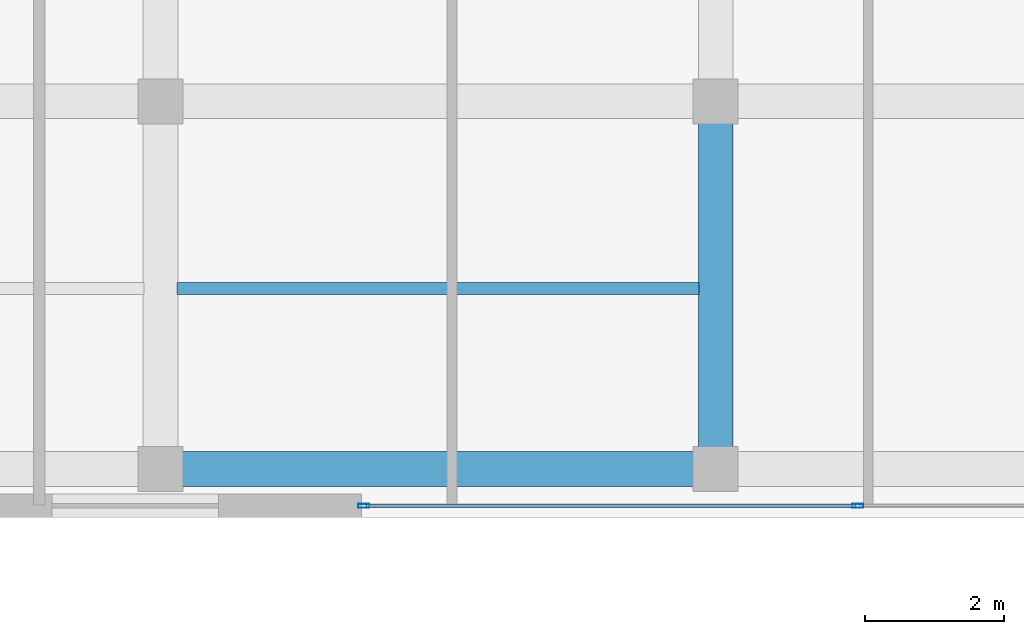
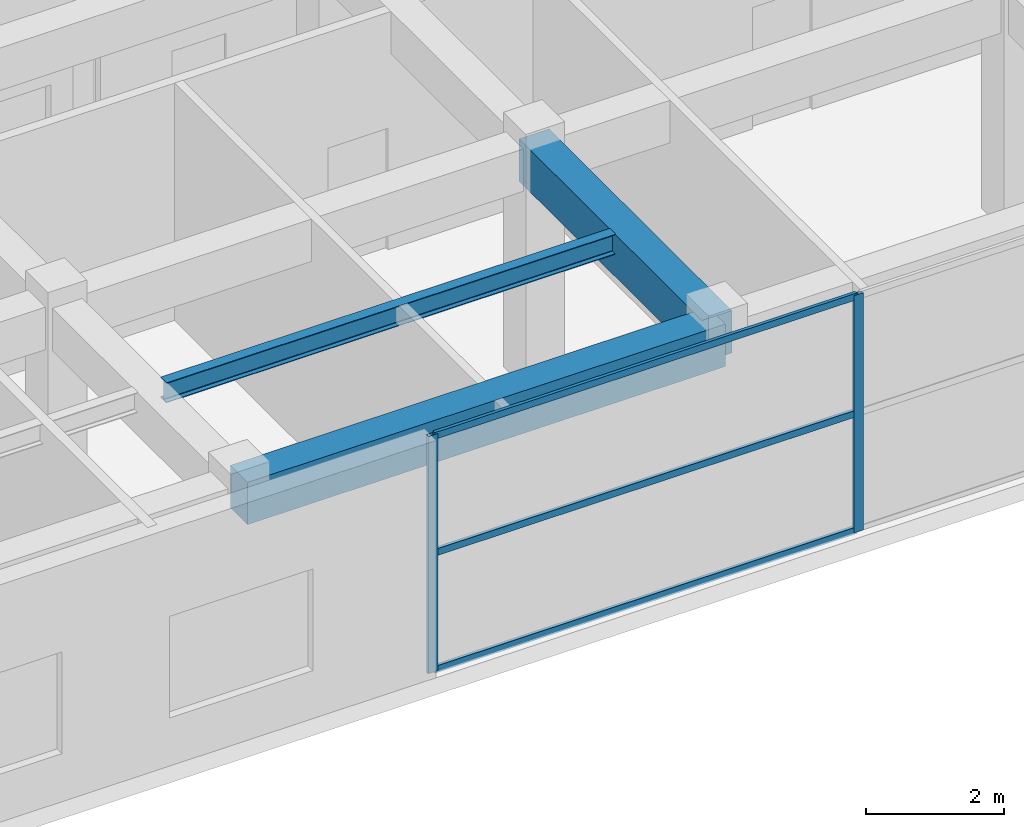
# One storey, part 10 of 26: 5 members, 3 beams, 1 element without a shape of its own.
"""IFC4 building model written with IfcOpenShell, lengths in metres."""

from ifc_helpers import new_model, si_unit, direction, frame, origin, origin_2d, place, context, subcontext, project, spatial, rectangle, hollow_rectangle, i_section, extrude, source, transform, mapped, material, layer, layer_set, material_profile, profile_set, type_object, element, aggregate, save


model = new_model("IFC4")

# Units and contexts
model_context = context("Model", 3, precision=1e-05, world=origin(), true_north=direction((0.0, 1.0)))
body_context = subcontext(model_context, "Body", "Model", "MODEL_VIEW")
ifc_project = project(units=[si_unit("LENGTHUNIT", "METRE"), si_unit("AREAUNIT", "SQUARE_METRE"), si_unit("VOLUMEUNIT", "CUBIC_METRE"), si_unit("PLANEANGLEUNIT", "RADIAN"), si_unit("MASSUNIT", "GRAM", prefix="KILO")], contexts=[model_context])

# Site, building, storey
site_placement = place(None, origin())
site = spatial("IfcSite", under=ifc_project, at=site_placement, CompositionType="ELEMENT")
building_placement = place(site_placement, origin())
building = spatial("IfcBuilding", under=site, at=building_placement, Name="Khoralis Quay Care Tower", CompositionType="ELEMENT")
storey_placement = place(building_placement, frame((0.0, 0.0, 4.5)))
storey = spatial("IfcBuildingStorey", under=building, at=storey_placement, Name="L01", CompositionType="ELEMENT", Elevation=4.5)

# Beams
ifc_material_1 = material(Name="Concrete C40/50", Category="concrete")
ifc_material_profile_1 = material_profile(ifc_material_1, rectangle(XDim=0.5, YDim=0.75, at=origin_2d()), Name="Concrete C40/50")
ifc_profile_set_1 = profile_set([ifc_material_profile_1], Name="Concrete C40/50")
beam_type_1 = type_object("IfcBeamType", Name="BM-RC500X750", PredefinedType="BEAM", material=ifc_profile_set_1)
shared_shape_1 = source(origin(), body_context, "Body", "SweptSolid", [
    extrude(rectangle(XDim=0.5, YDim=0.75, at=origin_2d()), origin(), (0.0, 0.0, 1.0), 8.0),
])
beam_1_placement = place(storey_placement, frame((76.0, 6.699951171875, 3.824951171875), z_axis=(1.0, 0.0, 0.0), x_axis=(0.0, 1.0, 0.0)))
element("IfcBeam", 1, at=beam_1_placement, inside=storey, type_object=beam_type_1, Name="BM-SCX-L01-02", PredefinedType="BEAM", context=body_context, shape_type="MappedRepresentation", body=[
    mapped(shared_shape_1, transform((0.0, 0.0, 0.0), scale=1.0)),
])
shared_shape_2 = source(origin(), body_context, "Body", "SweptSolid", [
    extrude(rectangle(XDim=0.5, YDim=0.75, at=origin_2d()), origin(), (0.0, 0.0, 1.0), 5.300048828125),
])
beam_2_placement = place(storey_placement, frame((84.0, 6.699951171875, 3.824951171875), z_axis=(0.0, 1.0, 0.0), x_axis=(-1.0, 0.0, 0.0)))
element("IfcBeam", 2, at=beam_2_placement, inside=storey, type_object=beam_type_1, Name="BM-SCY-L01-45", PredefinedType="BEAM", context=body_context, shape_type="MappedRepresentation", body=[
    mapped(shared_shape_2, transform((0.0, 0.0, 0.0), scale=1.0)),
])
ifc_material_2 = material(Name="Steel S355", Category="steel")
ifc_material_profile_2 = material_profile(ifc_material_2, i_section(OverallWidth=0.1708984375, OverallDepth=0.35498046875, WebThickness=0.007080078125, FlangeThickness=0.01171875, FilletRadius=0.012939453125, at=origin_2d()), Name="Steel S355")
ifc_profile_set_2 = profile_set([ifc_material_profile_2], Name="Steel S355")
beam_type_2 = type_object("IfcBeamType", Name="BM-W360X51", PredefinedType="JOIST", material=ifc_profile_set_2)
shared_shape_3 = source(origin(), body_context, "Body", "SweptSolid", [
    extrude(i_section(OverallWidth=0.1708984375, OverallDepth=0.35498046875, WebThickness=0.007080078125, FlangeThickness=0.01171875, FilletRadius=0.012939453125, at=origin_2d()), origin(), (0.0, 0.0, 1.0), 7.52392578125),
])
beam_3_placement = place(storey_placement, frame((76.238037109375, 9.300048828125, 4.0224609375), z_axis=(1.0, 0.0, 0.0), x_axis=(0.0, 1.0, 0.0)))
element("IfcBeam", 3, at=beam_3_placement, inside=storey, type_object=beam_type_2, Name="BM-SCJ-L01-69", PredefinedType="JOIST", context=body_context, shape_type="MappedRepresentation", body=[
    mapped(shared_shape_3, transform((0.0, 0.0, 0.0), scale=1.0)),
])

# Curtain wall, members
ifc_material_3 = material(Name="Pale anodised aluminium", Category="aluminium")
ifc_layer = layer(ifc_material_3, 0.14990234375)
ifc_layer_set = layer_set([ifc_layer], Name="Pale anodised aluminium")
curtain_wall_type = type_object("IfcCurtainWallType", Name="CW-SYS-SCHOOL", PredefinedType="NOTDEFINED", material=ifc_layer_set)
curtain_wall_placement = place(storey_placement, origin())
curtain_wall = element("IfcCurtainWall", 4, at=curtain_wall_placement, inside=storey, type_object=curtain_wall_type, Name="L01 Unitised Curtain Wall CW-SCH-L01-E0", PredefinedType="NOTDEFINED")
ifc_material_profile_3 = material_profile(ifc_material_3, hollow_rectangle(XDim=0.06005859375, YDim=0.159912109375, WallThickness=0.00390625, at=origin_2d()), Name="Pale anodised aluminium")
ifc_profile_set_3 = profile_set([ifc_material_profile_3], Name="Pale anodised aluminium")
member_type_1 = type_object("IfcMemberType", Name="CW-MUL-160", PredefinedType="MULLION", material=ifc_profile_set_3)
shared_shape_4 = source(origin(), body_context, "Body", "SweptSolid", [
    extrude(hollow_rectangle(XDim=0.06005859375, YDim=0.159912109375, WallThickness=0.00390625, at=origin_2d()), origin(), (0.0, 0.0, 1.0), 4.199951171875),
])
member_1_placement = place(storey_placement, frame((78.927978515625, 6.169921875, 0.0), z_axis=(0.0, 0.0, 1.0), x_axis=(0.0, 1.0, 0.0)))
member_1 = element("IfcMember", 5, at=member_1_placement, type_object=member_type_1, Name="CW6 mullion 1", PredefinedType="MULLION", context=body_context, shape_type="MappedRepresentation", body=[
    mapped(shared_shape_4, transform((0.0, 0.0, 0.0), scale=1.0)),
])
member_2_placement = place(storey_placement, frame((86.050048828125, 6.169921875, 0.0), z_axis=(0.0, 0.0, 1.0), x_axis=(0.0, 1.0, 0.0)))
member_2 = element("IfcMember", 6, at=member_2_placement, type_object=member_type_1, Name="CW6 mullion 2", PredefinedType="MULLION", context=body_context, shape_type="MappedRepresentation", body=[
    mapped(shared_shape_4, transform((0.0, 0.0, 0.0), scale=1.0)),
])
ifc_material_profile_4 = material_profile(ifc_material_3, hollow_rectangle(XDim=0.054931640625, YDim=0.1201171875, WallThickness=0.00390625, at=origin_2d()), Name="Pale anodised aluminium")
ifc_profile_set_4 = profile_set([ifc_material_profile_4], Name="Pale anodised aluminium")
member_type_2 = type_object("IfcMemberType", Name="CW-TRN-120", PredefinedType="USERDEFINED", material=ifc_profile_set_4)
shared_shape_5 = source(origin(), body_context, "Body", "SweptSolid", [
    extrude(hollow_rectangle(XDim=0.054931640625, YDim=0.1201171875, WallThickness=0.00390625, at=origin_2d()), origin(), (0.0, 0.0, 1.0), 7.06201171875),
])
member_3_placement = place(storey_placement, frame((78.9580078125, 6.169921875, 0.030029296875), z_axis=(1.0, 0.0, 0.0), x_axis=(0.0, 1.0, 0.0)))
member_3 = element("IfcMember", 7, at=member_3_placement, type_object=member_type_2, Name="CW6 transom 1.1", ObjectType="TRANSOM", PredefinedType="USERDEFINED", context=body_context, shape_type="MappedRepresentation", body=[
    mapped(shared_shape_5, transform((0.0, 0.0, 0.0), scale=1.0)),
])
member_4_placement = place(storey_placement, frame((78.9580078125, 6.169921875, 2.10009765625), z_axis=(1.0, 0.0, 0.0), x_axis=(0.0, 1.0, 0.0)))
member_4 = element("IfcMember", 8, at=member_4_placement, type_object=member_type_2, Name="CW6 transom 1.2", ObjectType="TRANSOM", PredefinedType="USERDEFINED", context=body_context, shape_type="MappedRepresentation", body=[
    mapped(shared_shape_5, transform((0.0, 0.0, 0.0), scale=1.0)),
])
member_5_placement = place(storey_placement, frame((78.9580078125, 6.169921875, 4.169921875), z_axis=(1.0, 0.0, 0.0), x_axis=(0.0, 1.0, 0.0)))
member_5 = element("IfcMember", 9, at=member_5_placement, type_object=member_type_2, Name="CW6 transom 1.3", ObjectType="TRANSOM", PredefinedType="USERDEFINED", context=body_context, shape_type="MappedRepresentation", body=[
    mapped(shared_shape_5, transform((0.0, 0.0, 0.0), scale=1.0)),
])
aggregate(curtain_wall, [member_1, member_2, member_3, member_4, member_5])

save(model, "model.ifc")
